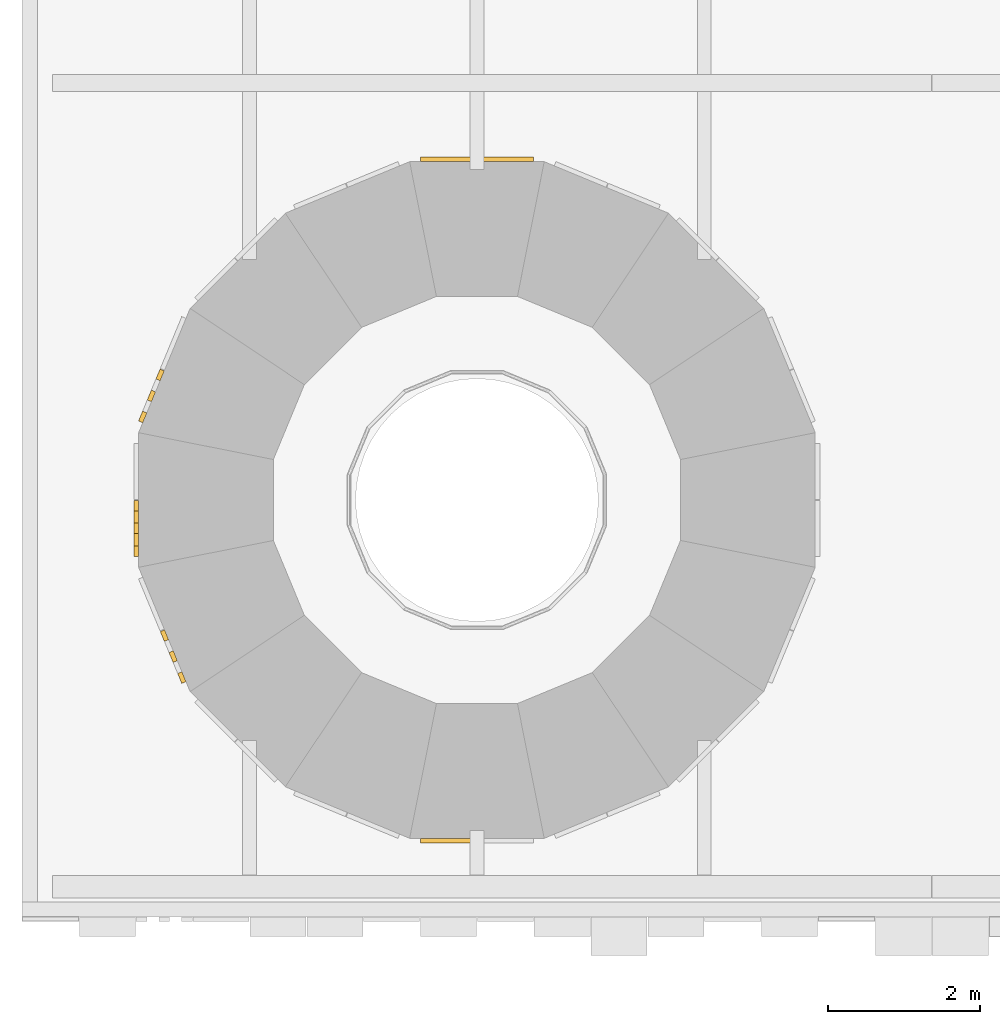
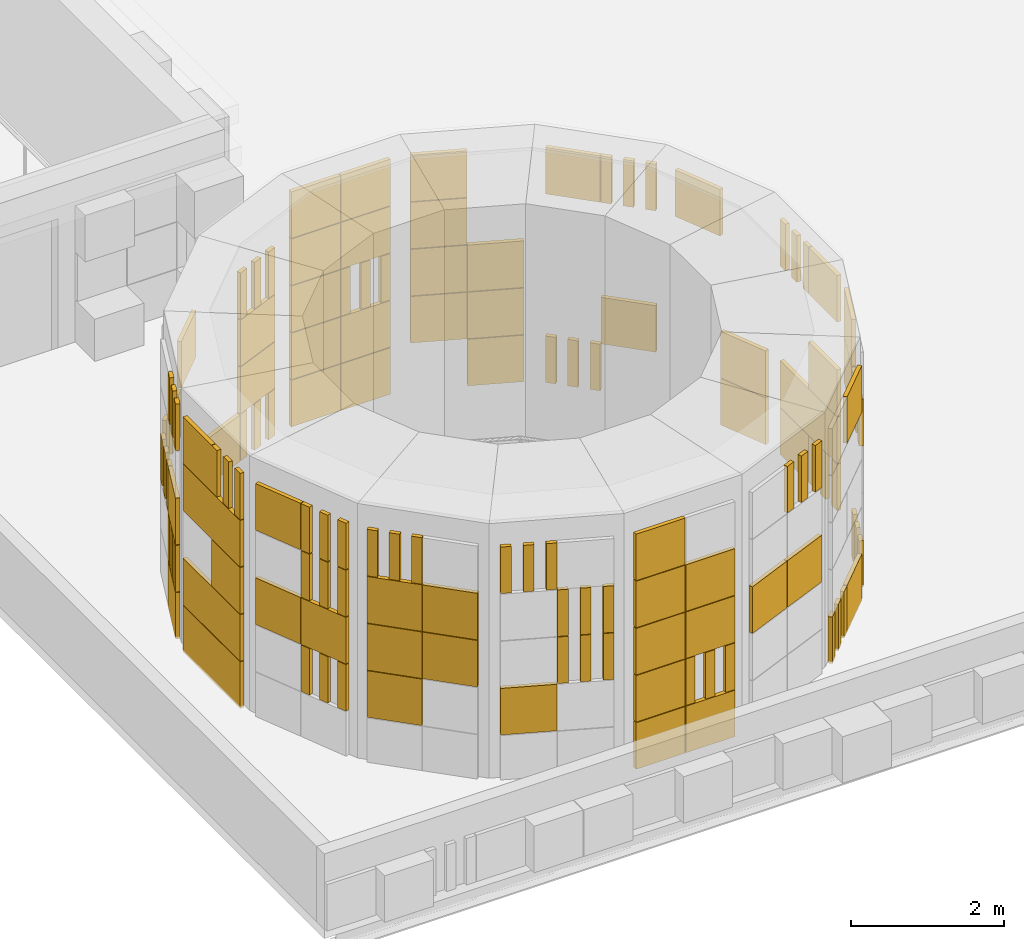
# One storey, part 66 of 98: 2 coverings.
"""IFC4 building model written with IfcOpenShell, lengths in metres."""

from ifc_helpers import new_model, si_unit, direction, frame, origin, origin_2d, place, context, subcontext, project, spatial, rectangle, extrude, material, layer, layer_set, type_object, element, save


model = new_model("IFC4")

# Units and contexts
model_context = context("Model", 3, precision=1e-05, world=origin(), true_north=direction((0.0, 1.0)))
body_context = subcontext(model_context, "Body", "Model", "MODEL_VIEW")
ifc_project = project(units=[si_unit("LENGTHUNIT", "METRE"), si_unit("AREAUNIT", "SQUARE_METRE"), si_unit("VOLUMEUNIT", "CUBIC_METRE"), si_unit("PLANEANGLEUNIT", "RADIAN"), si_unit("MASSUNIT", "GRAM", prefix="KILO")], contexts=[model_context])

# Site, building, storey
site_placement = place(None, origin())
site = spatial("IfcSite", under=ifc_project, at=site_placement, CompositionType="ELEMENT")
building_placement = place(site_placement, origin())
building = spatial("IfcBuilding", under=site, at=building_placement, Name="Sun Court Science Centre", CompositionType="ELEMENT")
storey_placement = place(building_placement, frame((0.0, 0.0, 15.75)))
storey = spatial("IfcBuildingStorey", under=building, at=storey_placement, Name="L03", CompositionType="ELEMENT", Elevation=15.75)

# Coverings
ifc_material_1 = material(Name="Terracotta jali", Category="masonry")
ifc_layer_1 = layer(ifc_material_1, 0.06005859375)
ifc_layer_set_1 = layer_set([ifc_layer_1], Name="Terracotta jali")
covering_type_1 = type_object("IfcCoveringType", Name="Terracotta open jali panel", PredefinedType="CLADDING", material=ifc_layer_set_1)
covering_1_placement = place(storey_placement, frame((0.0, 0.0, -15.75)))
element("IfcCovering", 1, at=covering_1_placement, inside=storey, type_object=covering_type_1, Name="Open jali pixel cladding cone 1 L03", PredefinedType="CLADDING", context=body_context, shape_type="SweptSolid", body=[
    extrude(rectangle(XDim=0.139892578125, YDim=0.06005859375, at=origin_2d()), frame((8.699462890625, 15.154052734375, 15.865234375), z_axis=(0.0, 0.0, 1.0), x_axis=(0.707106781187, -0.707106781187, 0.0)), (0.0, 0.0, 1.0), 0.739990234375),
    extrude(rectangle(XDim=0.139892578125, YDim=0.06005859375, at=origin_2d()), frame((8.91162109375, 14.94189453125, 15.865234375), z_axis=(0.0, 0.0, 1.0), x_axis=(0.707106781187, -0.707106781187, 0.0)), (0.0, 0.0, 1.0), 0.739990234375),
    extrude(rectangle(XDim=0.139892578125, YDim=0.06005859375, at=origin_2d()), frame((9.123779296875, 14.729736328125, 15.865234375), z_axis=(0.0, 0.0, 1.0), x_axis=(0.707106781187, -0.707106781187, 0.0)), (0.0, 0.0, 1.0), 0.739990234375),
    extrude(rectangle(XDim=0.139892578125, YDim=0.06005859375, at=origin_2d()), frame((9.229736328125, 14.623779296875, 18.865234375), z_axis=(0.0, 0.0, 1.0), x_axis=(0.707106781187, -0.707106781187, 0.0)), (0.0, 0.0, 1.0), 0.739990234375),
    extrude(rectangle(XDim=0.139892578125, YDim=0.06005859375, at=origin_2d()), frame((9.44189453125, 14.41162109375, 18.865234375), z_axis=(0.0, 0.0, 1.0), x_axis=(0.707106781187, -0.707106781187, 0.0)), (0.0, 0.0, 1.0), 0.739990234375),
    extrude(rectangle(XDim=0.139892578125, YDim=0.06005859375, at=origin_2d()), frame((9.654052734375, 14.199462890625, 18.865234375), z_axis=(0.0, 0.0, 1.0), x_axis=(0.707106781187, -0.707106781187, 0.0)), (0.0, 0.0, 1.0), 0.739990234375),
    extrude(rectangle(XDim=0.139892578125, YDim=0.06005859375, at=origin_2d()), frame((6.074951171875, 15.99267578125, 17.365234375), z_axis=(0.0, 0.0, 1.0), x_axis=(1.0, 0.0, 0.0)), (0.0, 0.0, 1.0), 0.739990234375),
    extrude(rectangle(XDim=0.139892578125, YDim=0.06005859375, at=origin_2d()), frame((6.375, 15.99267578125, 17.365234375), z_axis=(0.0, 0.0, 1.0), x_axis=(1.0, 0.0, 0.0)), (0.0, 0.0, 1.0), 0.739990234375),
    extrude(rectangle(XDim=0.139892578125, YDim=0.06005859375, at=origin_2d()), frame((6.675048828125, 15.99267578125, 17.365234375), z_axis=(0.0, 0.0, 1.0), x_axis=(1.0, 0.0, 0.0)), (0.0, 0.0, 1.0), 0.739990234375),
    extrude(rectangle(XDim=0.139892578125, YDim=0.06005859375, at=origin_2d()), frame((4.35009765625, 15.67919921875, 15.865234375), z_axis=(0.0, 0.0, 1.0), x_axis=(0.923879532511, 0.382683432365, 0.0)), (0.0, 0.0, 1.0), 0.739990234375),
    extrude(rectangle(XDim=0.139892578125, YDim=0.06005859375, at=origin_2d()), frame((4.627197265625, 15.794189453125, 15.865234375), z_axis=(0.0, 0.0, 1.0), x_axis=(0.923879532511, 0.382683432365, 0.0)), (0.0, 0.0, 1.0), 0.739990234375),
    extrude(rectangle(XDim=0.139892578125, YDim=0.06005859375, at=origin_2d()), frame((4.904296875, 15.908935546875, 15.865234375), z_axis=(0.0, 0.0, 1.0), x_axis=(0.923879532511, 0.382683432365, 0.0)), (0.0, 0.0, 1.0), 0.739990234375),
    extrude(rectangle(XDim=0.139892578125, YDim=0.06005859375, at=origin_2d()), frame((4.35009765625, 15.67919921875, 18.115234375), z_axis=(0.0, 0.0, 1.0), x_axis=(0.923879532511, 0.382683432365, 0.0)), (0.0, 0.0, 1.0), 0.739990234375),
    extrude(rectangle(XDim=0.139892578125, YDim=0.06005859375, at=origin_2d()), frame((4.627197265625, 15.794189453125, 18.115234375), z_axis=(0.0, 0.0, 1.0), x_axis=(0.923879532511, 0.382683432365, 0.0)), (0.0, 0.0, 1.0), 0.739990234375),
    extrude(rectangle(XDim=0.139892578125, YDim=0.06005859375, at=origin_2d()), frame((4.904296875, 15.908935546875, 18.115234375), z_axis=(0.0, 0.0, 1.0), x_axis=(0.923879532511, 0.382683432365, 0.0)), (0.0, 0.0, 1.0), 0.739990234375),
    extrude(rectangle(XDim=0.139892578125, YDim=0.06005859375, at=origin_2d()), frame((2.345947265625, 14.199462890625, 17.365234375), z_axis=(0.0, 0.0, 1.0), x_axis=(0.707106781187, 0.707106781187, 0.0)), (0.0, 0.0, 1.0), 0.739990234375),
    extrude(rectangle(XDim=0.139892578125, YDim=0.06005859375, at=origin_2d()), frame((2.55810546875, 14.41162109375, 17.365234375), z_axis=(0.0, 0.0, 1.0), x_axis=(0.707106781187, 0.707106781187, 0.0)), (0.0, 0.0, 1.0), 0.739990234375),
    extrude(rectangle(XDim=0.139892578125, YDim=0.06005859375, at=origin_2d()), frame((2.770263671875, 14.623779296875, 17.365234375), z_axis=(0.0, 0.0, 1.0), x_axis=(0.707106781187, 0.707106781187, 0.0)), (0.0, 0.0, 1.0), 0.739990234375),
    extrude(rectangle(XDim=0.139892578125, YDim=0.06005859375, at=origin_2d()), frame((1.591064453125, 12.595703125, 16.615234375), z_axis=(0.0, 0.0, 1.0), x_axis=(0.382683432365, 0.923879532511, 0.0)), (0.0, 0.0, 1.0), 0.739990234375),
    extrude(rectangle(XDim=0.139892578125, YDim=0.06005859375, at=origin_2d()), frame((1.705810546875, 12.872802734375, 16.615234375), z_axis=(0.0, 0.0, 1.0), x_axis=(0.382683432365, 0.923879532511, 0.0)), (0.0, 0.0, 1.0), 0.739990234375),
    extrude(rectangle(XDim=0.139892578125, YDim=0.06005859375, at=origin_2d()), frame((1.82080078125, 13.14990234375, 16.615234375), z_axis=(0.0, 0.0, 1.0), x_axis=(0.382683432365, 0.923879532511, 0.0)), (0.0, 0.0, 1.0), 0.739990234375),
    extrude(rectangle(XDim=0.139892578125, YDim=0.06005859375, at=origin_2d()), frame((1.878173828125, 13.28857421875, 17.365234375), z_axis=(0.0, 0.0, 1.0), x_axis=(0.382683432365, 0.923879532511, 0.0)), (0.0, 0.0, 1.0), 0.739990234375),
    extrude(rectangle(XDim=0.139892578125, YDim=0.06005859375, at=origin_2d()), frame((1.992919921875, 13.565673828125, 17.365234375), z_axis=(0.0, 0.0, 1.0), x_axis=(0.382683432365, 0.923879532511, 0.0)), (0.0, 0.0, 1.0), 0.739990234375),
    extrude(rectangle(XDim=0.139892578125, YDim=0.06005859375, at=origin_2d()), frame((2.107666015625, 13.8427734375, 17.365234375), z_axis=(0.0, 0.0, 1.0), x_axis=(0.382683432365, 0.923879532511, 0.0)), (0.0, 0.0, 1.0), 0.739990234375),
    extrude(rectangle(XDim=0.139892578125, YDim=0.06005859375, at=origin_2d()), frame((1.591064453125, 12.595703125, 18.865234375), z_axis=(0.0, 0.0, 1.0), x_axis=(0.382683432365, 0.923879532511, 0.0)), (0.0, 0.0, 1.0), 0.739990234375),
    extrude(rectangle(XDim=0.139892578125, YDim=0.06005859375, at=origin_2d()), frame((1.705810546875, 12.872802734375, 18.865234375), z_axis=(0.0, 0.0, 1.0), x_axis=(0.382683432365, 0.923879532511, 0.0)), (0.0, 0.0, 1.0), 0.739990234375),
    extrude(rectangle(XDim=0.139892578125, YDim=0.06005859375, at=origin_2d()), frame((1.82080078125, 13.14990234375, 18.865234375), z_axis=(0.0, 0.0, 1.0), x_axis=(0.382683432365, 0.923879532511, 0.0)), (0.0, 0.0, 1.0), 0.739990234375),
    extrude(rectangle(XDim=0.139892578125, YDim=0.06005859375, at=origin_2d()), frame((1.50732421875, 10.824951171875, 18.865234375), z_axis=(0.0, 0.0, 1.0), x_axis=(0.0, 1.0, 0.0)), (0.0, 0.0, 1.0), 0.739990234375),
    extrude(rectangle(XDim=0.139892578125, YDim=0.06005859375, at=origin_2d()), frame((1.50732421875, 11.125, 18.865234375), z_axis=(0.0, 0.0, 1.0), x_axis=(0.0, 1.0, 0.0)), (0.0, 0.0, 1.0), 0.739990234375),
    extrude(rectangle(XDim=0.139892578125, YDim=0.06005859375, at=origin_2d()), frame((1.50732421875, 11.425048828125, 18.865234375), z_axis=(0.0, 0.0, 1.0), x_axis=(0.0, 1.0, 0.0)), (0.0, 0.0, 1.0), 0.739990234375),
    extrude(rectangle(XDim=0.139892578125, YDim=0.06005859375, at=origin_2d()), frame((2.107666015625, 9.1572265625, 16.615234375), z_axis=(0.0, 0.0, 1.0), x_axis=(-0.382683432365, 0.923879532511, 0.0)), (0.0, 0.0, 1.0), 0.739990234375),
    extrude(rectangle(XDim=0.139892578125, YDim=0.06005859375, at=origin_2d()), frame((1.992919921875, 9.434326171875, 16.615234375), z_axis=(0.0, 0.0, 1.0), x_axis=(-0.382683432365, 0.923879532511, 0.0)), (0.0, 0.0, 1.0), 0.739990234375),
    extrude(rectangle(XDim=0.139892578125, YDim=0.06005859375, at=origin_2d()), frame((1.878173828125, 9.71142578125, 16.615234375), z_axis=(0.0, 0.0, 1.0), x_axis=(-0.382683432365, 0.923879532511, 0.0)), (0.0, 0.0, 1.0), 0.739990234375),
    extrude(rectangle(XDim=0.139892578125, YDim=0.06005859375, at=origin_2d()), frame((2.107666015625, 9.1572265625, 18.115234375), z_axis=(0.0, 0.0, 1.0), x_axis=(-0.382683432365, 0.923879532511, 0.0)), (0.0, 0.0, 1.0), 0.739990234375),
    extrude(rectangle(XDim=0.139892578125, YDim=0.06005859375, at=origin_2d()), frame((1.992919921875, 9.434326171875, 18.115234375), z_axis=(0.0, 0.0, 1.0), x_axis=(-0.382683432365, 0.923879532511, 0.0)), (0.0, 0.0, 1.0), 0.739990234375),
    extrude(rectangle(XDim=0.139892578125, YDim=0.06005859375, at=origin_2d()), frame((1.878173828125, 9.71142578125, 18.115234375), z_axis=(0.0, 0.0, 1.0), x_axis=(-0.382683432365, 0.923879532511, 0.0)), (0.0, 0.0, 1.0), 0.739990234375),
    extrude(rectangle(XDim=0.139892578125, YDim=0.06005859375, at=origin_2d()), frame((2.107666015625, 9.1572265625, 18.865234375), z_axis=(0.0, 0.0, 1.0), x_axis=(-0.382683432365, 0.923879532511, 0.0)), (0.0, 0.0, 1.0), 0.739990234375),
    extrude(rectangle(XDim=0.139892578125, YDim=0.06005859375, at=origin_2d()), frame((1.992919921875, 9.434326171875, 18.865234375), z_axis=(0.0, 0.0, 1.0), x_axis=(-0.382683432365, 0.923879532511, 0.0)), (0.0, 0.0, 1.0), 0.739990234375),
    extrude(rectangle(XDim=0.139892578125, YDim=0.06005859375, at=origin_2d()), frame((1.878173828125, 9.71142578125, 18.865234375), z_axis=(0.0, 0.0, 1.0), x_axis=(-0.382683432365, 0.923879532511, 0.0)), (0.0, 0.0, 1.0), 0.739990234375),
    extrude(rectangle(XDim=0.139892578125, YDim=0.06005859375, at=origin_2d()), frame((2.770263671875, 8.376220703125, 18.865234375), z_axis=(0.0, 0.0, 1.0), x_axis=(-0.707106781187, 0.707106781187, 0.0)), (0.0, 0.0, 1.0), 0.739990234375),
    extrude(rectangle(XDim=0.139892578125, YDim=0.06005859375, at=origin_2d()), frame((2.55810546875, 8.58837890625, 18.865234375), z_axis=(0.0, 0.0, 1.0), x_axis=(-0.707106781187, 0.707106781187, 0.0)), (0.0, 0.0, 1.0), 0.739990234375),
    extrude(rectangle(XDim=0.139892578125, YDim=0.06005859375, at=origin_2d()), frame((2.345947265625, 8.800537109375, 18.865234375), z_axis=(0.0, 0.0, 1.0), x_axis=(-0.707106781187, 0.707106781187, 0.0)), (0.0, 0.0, 1.0), 0.739990234375),
    extrude(rectangle(XDim=0.139892578125, YDim=0.06005859375, at=origin_2d()), frame((4.904296875, 7.091064453125, 17.365234375), z_axis=(0.0, 0.0, 1.0), x_axis=(-0.923879532511, 0.382683432365, 0.0)), (0.0, 0.0, 1.0), 0.739990234375),
    extrude(rectangle(XDim=0.139892578125, YDim=0.06005859375, at=origin_2d()), frame((4.627197265625, 7.205810546875, 17.365234375), z_axis=(0.0, 0.0, 1.0), x_axis=(-0.923879532511, 0.382683432365, 0.0)), (0.0, 0.0, 1.0), 0.739990234375),
    extrude(rectangle(XDim=0.139892578125, YDim=0.06005859375, at=origin_2d()), frame((4.35009765625, 7.32080078125, 17.365234375), z_axis=(0.0, 0.0, 1.0), x_axis=(-0.923879532511, 0.382683432365, 0.0)), (0.0, 0.0, 1.0), 0.739990234375),
    extrude(rectangle(XDim=0.139892578125, YDim=0.06005859375, at=origin_2d()), frame((4.904296875, 7.091064453125, 18.115234375), z_axis=(0.0, 0.0, 1.0), x_axis=(-0.923879532511, 0.382683432365, 0.0)), (0.0, 0.0, 1.0), 0.739990234375),
    extrude(rectangle(XDim=0.139892578125, YDim=0.06005859375, at=origin_2d()), frame((4.627197265625, 7.205810546875, 18.115234375), z_axis=(0.0, 0.0, 1.0), x_axis=(-0.923879532511, 0.382683432365, 0.0)), (0.0, 0.0, 1.0), 0.739990234375),
    extrude(rectangle(XDim=0.139892578125, YDim=0.06005859375, at=origin_2d()), frame((4.35009765625, 7.32080078125, 18.115234375), z_axis=(0.0, 0.0, 1.0), x_axis=(-0.923879532511, 0.382683432365, 0.0)), (0.0, 0.0, 1.0), 0.739990234375),
    extrude(rectangle(XDim=0.139892578125, YDim=0.06005859375, at=origin_2d()), frame((4.21142578125, 7.378173828125, 18.865234375), z_axis=(0.0, 0.0, 1.0), x_axis=(-0.923879532511, 0.382683432365, 0.0)), (0.0, 0.0, 1.0), 0.739990234375),
    extrude(rectangle(XDim=0.139892578125, YDim=0.06005859375, at=origin_2d()), frame((3.934326171875, 7.492919921875, 18.865234375), z_axis=(0.0, 0.0, 1.0), x_axis=(-0.923879532511, 0.382683432365, 0.0)), (0.0, 0.0, 1.0), 0.739990234375),
    extrude(rectangle(XDim=0.139892578125, YDim=0.06005859375, at=origin_2d()), frame((3.6572265625, 7.607666015625, 18.865234375), z_axis=(0.0, 0.0, 1.0), x_axis=(-0.923879532511, 0.382683432365, 0.0)), (0.0, 0.0, 1.0), 0.739990234375),
    extrude(rectangle(XDim=0.139892578125, YDim=0.06005859375, at=origin_2d()), frame((6.675048828125, 7.00732421875, 16.615234375), z_axis=(0.0, 0.0, 1.0), x_axis=(-1.0, 0.0, 0.0)), (0.0, 0.0, 1.0), 0.739990234375),
    extrude(rectangle(XDim=0.139892578125, YDim=0.06005859375, at=origin_2d()), frame((6.375, 7.00732421875, 16.615234375), z_axis=(0.0, 0.0, 1.0), x_axis=(-1.0, 0.0, 0.0)), (0.0, 0.0, 1.0), 0.739990234375),
    extrude(rectangle(XDim=0.139892578125, YDim=0.06005859375, at=origin_2d()), frame((6.074951171875, 7.00732421875, 16.615234375), z_axis=(0.0, 0.0, 1.0), x_axis=(-1.0, 0.0, 0.0)), (0.0, 0.0, 1.0), 0.739990234375),
    extrude(rectangle(XDim=0.139892578125, YDim=0.06005859375, at=origin_2d()), frame((8.3427734375, 7.607666015625, 18.865234375), z_axis=(0.0, 0.0, 1.0), x_axis=(-0.923879532511, -0.382683432365, 0.0)), (0.0, 0.0, 1.0), 0.739990234375),
    extrude(rectangle(XDim=0.139892578125, YDim=0.06005859375, at=origin_2d()), frame((8.065673828125, 7.492919921875, 18.865234375), z_axis=(0.0, 0.0, 1.0), x_axis=(-0.923879532511, -0.382683432365, 0.0)), (0.0, 0.0, 1.0), 0.739990234375),
    extrude(rectangle(XDim=0.139892578125, YDim=0.06005859375, at=origin_2d()), frame((7.78857421875, 7.378173828125, 18.865234375), z_axis=(0.0, 0.0, 1.0), x_axis=(-0.923879532511, -0.382683432365, 0.0)), (0.0, 0.0, 1.0), 0.739990234375),
    extrude(rectangle(XDim=0.139892578125, YDim=0.06005859375, at=origin_2d()), frame((9.123779296875, 8.270263671875, 15.865234375), z_axis=(0.0, 0.0, 1.0), x_axis=(-0.707106781187, -0.707106781187, 0.0)), (0.0, 0.0, 1.0), 0.739990234375),
    extrude(rectangle(XDim=0.139892578125, YDim=0.06005859375, at=origin_2d()), frame((8.91162109375, 8.05810546875, 15.865234375), z_axis=(0.0, 0.0, 1.0), x_axis=(-0.707106781187, -0.707106781187, 0.0)), (0.0, 0.0, 1.0), 0.739990234375),
    extrude(rectangle(XDim=0.139892578125, YDim=0.06005859375, at=origin_2d()), frame((8.699462890625, 7.845947265625, 15.865234375), z_axis=(0.0, 0.0, 1.0), x_axis=(-0.707106781187, -0.707106781187, 0.0)), (0.0, 0.0, 1.0), 0.739990234375),
    extrude(rectangle(XDim=0.139892578125, YDim=0.06005859375, at=origin_2d()), frame((10.121826171875, 9.71142578125, 15.865234375), z_axis=(0.0, 0.0, 1.0), x_axis=(-0.382683432365, -0.923879532511, 0.0)), (0.0, 0.0, 1.0), 0.739990234375),
    extrude(rectangle(XDim=0.139892578125, YDim=0.06005859375, at=origin_2d()), frame((10.007080078125, 9.434326171875, 15.865234375), z_axis=(0.0, 0.0, 1.0), x_axis=(-0.382683432365, -0.923879532511, 0.0)), (0.0, 0.0, 1.0), 0.739990234375),
    extrude(rectangle(XDim=0.139892578125, YDim=0.06005859375, at=origin_2d()), frame((9.892333984375, 9.1572265625, 15.865234375), z_axis=(0.0, 0.0, 1.0), x_axis=(-0.382683432365, -0.923879532511, 0.0)), (0.0, 0.0, 1.0), 0.739990234375),
    extrude(rectangle(XDim=0.139892578125, YDim=0.06005859375, at=origin_2d()), frame((10.121826171875, 9.71142578125, 18.115234375), z_axis=(0.0, 0.0, 1.0), x_axis=(-0.382683432365, -0.923879532511, 0.0)), (0.0, 0.0, 1.0), 0.739990234375),
    extrude(rectangle(XDim=0.139892578125, YDim=0.06005859375, at=origin_2d()), frame((10.007080078125, 9.434326171875, 18.115234375), z_axis=(0.0, 0.0, 1.0), x_axis=(-0.382683432365, -0.923879532511, 0.0)), (0.0, 0.0, 1.0), 0.739990234375),
    extrude(rectangle(XDim=0.139892578125, YDim=0.06005859375, at=origin_2d()), frame((9.892333984375, 9.1572265625, 18.115234375), z_axis=(0.0, 0.0, 1.0), x_axis=(-0.382683432365, -0.923879532511, 0.0)), (0.0, 0.0, 1.0), 0.739990234375),
    extrude(rectangle(XDim=0.139892578125, YDim=0.06005859375, at=origin_2d()), frame((10.49267578125, 11.425048828125, 15.865234375), z_axis=(0.0, 0.0, 1.0), x_axis=(0.0, -1.0, 0.0)), (0.0, 0.0, 1.0), 0.739990234375),
    extrude(rectangle(XDim=0.139892578125, YDim=0.06005859375, at=origin_2d()), frame((10.49267578125, 11.125, 15.865234375), z_axis=(0.0, 0.0, 1.0), x_axis=(0.0, -1.0, 0.0)), (0.0, 0.0, 1.0), 0.739990234375),
    extrude(rectangle(XDim=0.139892578125, YDim=0.06005859375, at=origin_2d()), frame((10.49267578125, 10.824951171875, 15.865234375), z_axis=(0.0, 0.0, 1.0), x_axis=(0.0, -1.0, 0.0)), (0.0, 0.0, 1.0), 0.739990234375),
    extrude(rectangle(XDim=0.139892578125, YDim=0.06005859375, at=origin_2d()), frame((10.49267578125, 12.175048828125, 18.865234375), z_axis=(0.0, 0.0, 1.0), x_axis=(0.0, -1.0, 0.0)), (0.0, 0.0, 1.0), 0.739990234375),
    extrude(rectangle(XDim=0.139892578125, YDim=0.06005859375, at=origin_2d()), frame((10.49267578125, 11.875, 18.865234375), z_axis=(0.0, 0.0, 1.0), x_axis=(0.0, -1.0, 0.0)), (0.0, 0.0, 1.0), 0.739990234375),
    extrude(rectangle(XDim=0.139892578125, YDim=0.06005859375, at=origin_2d()), frame((10.49267578125, 11.574951171875, 18.865234375), z_axis=(0.0, 0.0, 1.0), x_axis=(0.0, -1.0, 0.0)), (0.0, 0.0, 1.0), 0.739990234375),
    extrude(rectangle(XDim=0.739990234375, YDim=0.06005859375, at=origin_2d()), frame((1.50732421875, 11.125, 15.865234375), z_axis=(0.0, 0.0, 1.0), x_axis=(0.0, 1.0, 0.0)), (0.0, 0.0, 1.0), 0.739990234375),
    extrude(rectangle(XDim=0.739990234375, YDim=0.06005859375, at=origin_2d()), frame((1.50732421875, 11.125, 16.615234375), z_axis=(0.0, 0.0, 1.0), x_axis=(0.0, 1.0, 0.0)), (0.0, 0.0, 1.0), 0.739990234375),
    extrude(rectangle(XDim=0.739990234375, YDim=0.06005859375, at=origin_2d()), frame((1.50732421875, 11.125, 17.365234375), z_axis=(0.0, 0.0, 1.0), x_axis=(0.0, 1.0, 0.0)), (0.0, 0.0, 1.0), 0.739990234375),
    extrude(rectangle(XDim=0.739990234375, YDim=0.06005859375, at=origin_2d()), frame((1.50732421875, 11.875, 18.865234375), z_axis=(0.0, 0.0, 1.0), x_axis=(0.0, 1.0, 0.0)), (0.0, 0.0, 1.0), 0.739990234375),
    extrude(rectangle(XDim=0.739990234375, YDim=0.06005859375, at=origin_2d()), frame((5.625, 15.99267578125, 15.865234375), z_axis=(0.0, 0.0, 1.0), x_axis=(1.0, 0.0, 0.0)), (0.0, 0.0, 1.0), 0.739990234375),
    extrude(rectangle(XDim=0.739990234375, YDim=0.06005859375, at=origin_2d()), frame((6.375, 15.99267578125, 15.865234375), z_axis=(0.0, 0.0, 1.0), x_axis=(1.0, 0.0, 0.0)), (0.0, 0.0, 1.0), 0.739990234375),
    extrude(rectangle(XDim=0.739990234375, YDim=0.06005859375, at=origin_2d()), frame((6.375, 15.99267578125, 18.115234375), z_axis=(0.0, 0.0, 1.0), x_axis=(1.0, 0.0, 0.0)), (0.0, 0.0, 1.0), 0.739990234375),
    extrude(rectangle(XDim=0.739990234375, YDim=0.06005859375, at=origin_2d()), frame((1.50732421875, 11.875, 16.615234375), z_axis=(0.0, 0.0, 1.0), x_axis=(0.0, 1.0, 0.0)), (0.0, 0.0, 1.0), 0.739990234375),
    extrude(rectangle(XDim=0.739990234375, YDim=0.06005859375, at=origin_2d()), frame((1.50732421875, 11.125, 18.115234375), z_axis=(0.0, 0.0, 1.0), x_axis=(0.0, 1.0, 0.0)), (0.0, 0.0, 1.0), 0.739990234375),
    extrude(rectangle(XDim=0.739990234375, YDim=0.06005859375, at=origin_2d()), frame((1.50732421875, 11.875, 18.115234375), z_axis=(0.0, 0.0, 1.0), x_axis=(0.0, 1.0, 0.0)), (0.0, 0.0, 1.0), 0.739990234375),
    extrude(rectangle(XDim=0.739990234375, YDim=0.06005859375, at=origin_2d()), frame((5.625, 15.99267578125, 16.615234375), z_axis=(0.0, 0.0, 1.0), x_axis=(1.0, 0.0, 0.0)), (0.0, 0.0, 1.0), 0.739990234375),
    extrude(rectangle(XDim=0.739990234375, YDim=0.06005859375, at=origin_2d()), frame((6.375, 15.99267578125, 16.615234375), z_axis=(0.0, 0.0, 1.0), x_axis=(1.0, 0.0, 0.0)), (0.0, 0.0, 1.0), 0.739990234375),
    extrude(rectangle(XDim=0.739990234375, YDim=0.06005859375, at=origin_2d()), frame((5.625, 15.99267578125, 17.365234375), z_axis=(0.0, 0.0, 1.0), x_axis=(1.0, 0.0, 0.0)), (0.0, 0.0, 1.0), 0.739990234375),
    extrude(rectangle(XDim=0.739990234375, YDim=0.06005859375, at=origin_2d()), frame((5.625, 15.99267578125, 18.115234375), z_axis=(0.0, 0.0, 1.0), x_axis=(1.0, 0.0, 0.0)), (0.0, 0.0, 1.0), 0.739990234375),
    extrude(rectangle(XDim=0.739990234375, YDim=0.06005859375, at=origin_2d()), frame((6.375, 15.99267578125, 18.865234375), z_axis=(0.0, 0.0, 1.0), x_axis=(1.0, 0.0, 0.0)), (0.0, 0.0, 1.0), 0.739990234375),
    extrude(rectangle(XDim=0.739990234375, YDim=0.06005859375, at=origin_2d()), frame((1.50732421875, 11.875, 15.865234375), z_axis=(0.0, 0.0, 1.0), x_axis=(0.0, 1.0, 0.0)), (0.0, 0.0, 1.0), 0.739990234375),
    extrude(rectangle(XDim=0.739990234375, YDim=0.06005859375, at=origin_2d()), frame((5.625, 15.99267578125, 18.865234375), z_axis=(0.0, 0.0, 1.0), x_axis=(1.0, 0.0, 0.0)), (0.0, 0.0, 1.0), 0.739990234375),
])
ifc_material_2 = material(Name="Terracotta shade 1", Category="masonry")
ifc_layer_2 = layer(ifc_material_2, 0.06005859375)
ifc_layer_set_2 = layer_set([ifc_layer_2], Name="Terracotta shade 1")
covering_type_2 = type_object("IfcCoveringType", Name="Terracotta pixel panel shade 1", PredefinedType="CLADDING", material=ifc_layer_set_2)
covering_2_placement = place(storey_placement, frame((0.0, 0.0, -15.75)))
element("IfcCovering", 2, at=covering_2_placement, inside=storey, type_object=covering_type_2, Name="Terracotta pixel cladding shade 1 cone 1 L03", PredefinedType="CLADDING", context=body_context, shape_type="SweptSolid", body=[
    extrude(rectangle(XDim=0.739990234375, YDim=0.06005859375, at=origin_2d()), frame((10.294189453125, 12.872802734375, 15.865234375), z_axis=(0.0, 0.0, 1.0), x_axis=(0.382683432365, -0.923879532511, 0.0)), (0.0, 0.0, 1.0), 0.739990234375),
    extrude(rectangle(XDim=0.739990234375, YDim=0.06005859375, at=origin_2d()), frame((10.294189453125, 12.872802734375, 16.615234375), z_axis=(0.0, 0.0, 1.0), x_axis=(0.382683432365, -0.923879532511, 0.0)), (0.0, 0.0, 1.0), 0.739990234375),
    extrude(rectangle(XDim=0.739990234375, YDim=0.06005859375, at=origin_2d()), frame((10.007080078125, 13.565673828125, 18.865234375), z_axis=(0.0, 0.0, 1.0), x_axis=(0.382683432365, -0.923879532511, 0.0)), (0.0, 0.0, 1.0), 0.739990234375),
    extrude(rectangle(XDim=0.739990234375, YDim=0.06005859375, at=origin_2d()), frame((9.44189453125, 14.41162109375, 16.615234375), z_axis=(0.0, 0.0, 1.0), x_axis=(0.707106781187, -0.707106781187, 0.0)), (0.0, 0.0, 1.0), 0.739990234375),
    extrude(rectangle(XDim=0.739990234375, YDim=0.06005859375, at=origin_2d()), frame((8.91162109375, 14.94189453125, 18.865234375), z_axis=(0.0, 0.0, 1.0), x_axis=(0.707106781187, -0.707106781187, 0.0)), (0.0, 0.0, 1.0), 0.739990234375),
    extrude(rectangle(XDim=0.739990234375, YDim=0.06005859375, at=origin_2d()), frame((8.065673828125, 15.507080078125, 15.865234375), z_axis=(0.0, 0.0, 1.0), x_axis=(0.923879532511, -0.382683432365, 0.0)), (0.0, 0.0, 1.0), 0.739990234375),
    extrude(rectangle(XDim=0.739990234375, YDim=0.06005859375, at=origin_2d()), frame((8.065673828125, 15.507080078125, 16.615234375), z_axis=(0.0, 0.0, 1.0), x_axis=(0.923879532511, -0.382683432365, 0.0)), (0.0, 0.0, 1.0), 0.739990234375),
    extrude(rectangle(XDim=0.739990234375, YDim=0.06005859375, at=origin_2d()), frame((8.065673828125, 15.507080078125, 17.365234375), z_axis=(0.0, 0.0, 1.0), x_axis=(0.923879532511, -0.382683432365, 0.0)), (0.0, 0.0, 1.0), 0.739990234375),
    extrude(rectangle(XDim=0.739990234375, YDim=0.06005859375, at=origin_2d()), frame((7.372802734375, 15.794189453125, 18.115234375), z_axis=(0.0, 0.0, 1.0), x_axis=(0.923879532511, -0.382683432365, 0.0)), (0.0, 0.0, 1.0), 0.739990234375),
    extrude(rectangle(XDim=0.739990234375, YDim=0.06005859375, at=origin_2d()), frame((3.934326171875, 15.507080078125, 15.865234375), z_axis=(0.0, 0.0, 1.0), x_axis=(0.923879532511, 0.382683432365, 0.0)), (0.0, 0.0, 1.0), 0.739990234375),
    extrude(rectangle(XDim=0.739990234375, YDim=0.06005859375, at=origin_2d()), frame((3.08837890625, 14.94189453125, 18.115234375), z_axis=(0.0, 0.0, 1.0), x_axis=(0.707106781187, 0.707106781187, 0.0)), (0.0, 0.0, 1.0), 0.739990234375),
    extrude(rectangle(XDim=0.739990234375, YDim=0.06005859375, at=origin_2d()), frame((1.705810546875, 12.872802734375, 15.865234375), z_axis=(0.0, 0.0, 1.0), x_axis=(0.382683432365, 0.923879532511, 0.0)), (0.0, 0.0, 1.0), 0.739990234375),
    extrude(rectangle(XDim=0.739990234375, YDim=0.06005859375, at=origin_2d()), frame((1.705810546875, 12.872802734375, 17.365234375), z_axis=(0.0, 0.0, 1.0), x_axis=(0.382683432365, 0.923879532511, 0.0)), (0.0, 0.0, 1.0), 0.739990234375),
    extrude(rectangle(XDim=0.739990234375, YDim=0.06005859375, at=origin_2d()), frame((1.992919921875, 9.434326171875, 17.365234375), z_axis=(0.0, 0.0, 1.0), x_axis=(-0.382683432365, 0.923879532511, 0.0)), (0.0, 0.0, 1.0), 0.739990234375),
    extrude(rectangle(XDim=0.739990234375, YDim=0.06005859375, at=origin_2d()), frame((1.705810546875, 10.127197265625, 17.365234375), z_axis=(0.0, 0.0, 1.0), x_axis=(-0.382683432365, 0.923879532511, 0.0)), (0.0, 0.0, 1.0), 0.739990234375),
    extrude(rectangle(XDim=0.739990234375, YDim=0.06005859375, at=origin_2d()), frame((1.705810546875, 10.127197265625, 18.865234375), z_axis=(0.0, 0.0, 1.0), x_axis=(-0.382683432365, 0.923879532511, 0.0)), (0.0, 0.0, 1.0), 0.739990234375),
    extrude(rectangle(XDim=0.739990234375, YDim=0.06005859375, at=origin_2d()), frame((2.55810546875, 8.58837890625, 16.615234375), z_axis=(0.0, 0.0, 1.0), x_axis=(-0.707106781187, 0.707106781187, 0.0)), (0.0, 0.0, 1.0), 0.739990234375),
    extrude(rectangle(XDim=0.739990234375, YDim=0.06005859375, at=origin_2d()), frame((3.08837890625, 8.05810546875, 17.365234375), z_axis=(0.0, 0.0, 1.0), x_axis=(-0.707106781187, 0.707106781187, 0.0)), (0.0, 0.0, 1.0), 0.739990234375),
    extrude(rectangle(XDim=0.739990234375, YDim=0.06005859375, at=origin_2d()), frame((2.55810546875, 8.58837890625, 17.365234375), z_axis=(0.0, 0.0, 1.0), x_axis=(-0.707106781187, 0.707106781187, 0.0)), (0.0, 0.0, 1.0), 0.739990234375),
    extrude(rectangle(XDim=0.739990234375, YDim=0.06005859375, at=origin_2d()), frame((3.08837890625, 8.05810546875, 18.115234375), z_axis=(0.0, 0.0, 1.0), x_axis=(-0.707106781187, 0.707106781187, 0.0)), (0.0, 0.0, 1.0), 0.739990234375),
    extrude(rectangle(XDim=0.739990234375, YDim=0.06005859375, at=origin_2d()), frame((2.55810546875, 8.58837890625, 18.115234375), z_axis=(0.0, 0.0, 1.0), x_axis=(-0.707106781187, 0.707106781187, 0.0)), (0.0, 0.0, 1.0), 0.739990234375),
    extrude(rectangle(XDim=0.739990234375, YDim=0.06005859375, at=origin_2d()), frame((3.934326171875, 7.492919921875, 16.615234375), z_axis=(0.0, 0.0, 1.0), x_axis=(-0.923879532511, 0.382683432365, 0.0)), (0.0, 0.0, 1.0), 0.739990234375),
    extrude(rectangle(XDim=0.739990234375, YDim=0.06005859375, at=origin_2d()), frame((6.375, 7.00732421875, 17.365234375), z_axis=(0.0, 0.0, 1.0), x_axis=(-1.0, 0.0, 0.0)), (0.0, 0.0, 1.0), 0.739990234375),
    extrude(rectangle(XDim=0.739990234375, YDim=0.06005859375, at=origin_2d()), frame((5.625, 7.00732421875, 17.365234375), z_axis=(0.0, 0.0, 1.0), x_axis=(-1.0, 0.0, 0.0)), (0.0, 0.0, 1.0), 0.739990234375),
    extrude(rectangle(XDim=0.739990234375, YDim=0.06005859375, at=origin_2d()), frame((8.065673828125, 7.492919921875, 17.365234375), z_axis=(0.0, 0.0, 1.0), x_axis=(-0.923879532511, -0.382683432365, 0.0)), (0.0, 0.0, 1.0), 0.739990234375),
    extrude(rectangle(XDim=0.739990234375, YDim=0.06005859375, at=origin_2d()), frame((7.372802734375, 7.205810546875, 17.365234375), z_axis=(0.0, 0.0, 1.0), x_axis=(-0.923879532511, -0.382683432365, 0.0)), (0.0, 0.0, 1.0), 0.739990234375),
    extrude(rectangle(XDim=0.739990234375, YDim=0.06005859375, at=origin_2d()), frame((9.44189453125, 8.58837890625, 15.865234375), z_axis=(0.0, 0.0, 1.0), x_axis=(-0.707106781187, -0.707106781187, 0.0)), (0.0, 0.0, 1.0), 0.739990234375),
    extrude(rectangle(XDim=0.739990234375, YDim=0.06005859375, at=origin_2d()), frame((9.44189453125, 8.58837890625, 18.865234375), z_axis=(0.0, 0.0, 1.0), x_axis=(-0.707106781187, -0.707106781187, 0.0)), (0.0, 0.0, 1.0), 0.739990234375),
    extrude(rectangle(XDim=0.739990234375, YDim=0.06005859375, at=origin_2d()), frame((10.294189453125, 10.127197265625, 18.115234375), z_axis=(0.0, 0.0, 1.0), x_axis=(-0.382683432365, -0.923879532511, 0.0)), (0.0, 0.0, 1.0), 0.739990234375),
    extrude(rectangle(XDim=0.739990234375, YDim=0.06005859375, at=origin_2d()), frame((10.294189453125, 10.127197265625, 18.865234375), z_axis=(0.0, 0.0, 1.0), x_axis=(-0.382683432365, -0.923879532511, 0.0)), (0.0, 0.0, 1.0), 0.739990234375),
    extrude(rectangle(XDim=0.739990234375, YDim=0.06005859375, at=origin_2d()), frame((10.49267578125, 11.875, 15.865234375), z_axis=(0.0, 0.0, 1.0), x_axis=(0.0, -1.0, 0.0)), (0.0, 0.0, 1.0), 0.739990234375),
    extrude(rectangle(XDim=0.739990234375, YDim=0.06005859375, at=origin_2d()), frame((10.49267578125, 11.125, 16.615234375), z_axis=(0.0, 0.0, 1.0), x_axis=(0.0, -1.0, 0.0)), (0.0, 0.0, 1.0), 0.739990234375),
    extrude(rectangle(XDim=0.739990234375, YDim=0.06005859375, at=origin_2d()), frame((10.49267578125, 11.125, 17.365234375), z_axis=(0.0, 0.0, 1.0), x_axis=(0.0, -1.0, 0.0)), (0.0, 0.0, 1.0), 0.739990234375),
    extrude(rectangle(XDim=0.739990234375, YDim=0.06005859375, at=origin_2d()), frame((10.49267578125, 11.125, 18.865234375), z_axis=(0.0, 0.0, 1.0), x_axis=(0.0, -1.0, 0.0)), (0.0, 0.0, 1.0), 0.739990234375),
    extrude(rectangle(XDim=0.739990234375, YDim=0.06005859375, at=origin_2d()), frame((6.375, 7.00732421875, 15.865234375), z_axis=(0.0, 0.0, 1.0), x_axis=(-1.0, 0.0, 0.0)), (0.0, 0.0, 1.0), 0.739990234375),
    extrude(rectangle(XDim=0.739990234375, YDim=0.06005859375, at=origin_2d()), frame((5.625, 7.00732421875, 18.115234375), z_axis=(0.0, 0.0, 1.0), x_axis=(-1.0, 0.0, 0.0)), (0.0, 0.0, 1.0), 0.739990234375),
    extrude(rectangle(XDim=0.739990234375, YDim=0.06005859375, at=origin_2d()), frame((10.49267578125, 11.875, 16.615234375), z_axis=(0.0, 0.0, 1.0), x_axis=(0.0, -1.0, 0.0)), (0.0, 0.0, 1.0), 0.739990234375),
    extrude(rectangle(XDim=0.739990234375, YDim=0.06005859375, at=origin_2d()), frame((5.625, 7.00732421875, 15.865234375), z_axis=(0.0, 0.0, 1.0), x_axis=(-1.0, 0.0, 0.0)), (0.0, 0.0, 1.0), 0.739990234375),
    extrude(rectangle(XDim=0.739990234375, YDim=0.06005859375, at=origin_2d()), frame((5.625, 7.00732421875, 16.615234375), z_axis=(0.0, 0.0, 1.0), x_axis=(-1.0, 0.0, 0.0)), (0.0, 0.0, 1.0), 0.739990234375),
    extrude(rectangle(XDim=0.739990234375, YDim=0.06005859375, at=origin_2d()), frame((6.375, 7.00732421875, 18.115234375), z_axis=(0.0, 0.0, 1.0), x_axis=(-1.0, 0.0, 0.0)), (0.0, 0.0, 1.0), 0.739990234375),
    extrude(rectangle(XDim=0.739990234375, YDim=0.06005859375, at=origin_2d()), frame((5.625, 7.00732421875, 18.865234375), z_axis=(0.0, 0.0, 1.0), x_axis=(-1.0, 0.0, 0.0)), (0.0, 0.0, 1.0), 0.739990234375),
    extrude(rectangle(XDim=0.739990234375, YDim=0.06005859375, at=origin_2d()), frame((4.627197265625, 15.794189453125, 16.615234375), z_axis=(0.0, 0.0, 1.0), x_axis=(0.923879532511, 0.382683432365, 0.0)), (0.0, 0.0, 1.0), 0.739990234375),
    extrude(rectangle(XDim=0.739990234375, YDim=0.06005859375, at=origin_2d()), frame((7.372802734375, 15.794189453125, 16.615234375), z_axis=(0.0, 0.0, 1.0), x_axis=(0.923879532511, -0.382683432365, 0.0)), (0.0, 0.0, 1.0), 0.739990234375),
    extrude(rectangle(XDim=0.739990234375, YDim=0.06005859375, at=origin_2d()), frame((7.372802734375, 15.794189453125, 17.365234375), z_axis=(0.0, 0.0, 1.0), x_axis=(0.923879532511, -0.382683432365, 0.0)), (0.0, 0.0, 1.0), 0.739990234375),
    extrude(rectangle(XDim=0.739990234375, YDim=0.06005859375, at=origin_2d()), frame((7.372802734375, 15.794189453125, 18.865234375), z_axis=(0.0, 0.0, 1.0), x_axis=(0.923879532511, -0.382683432365, 0.0)), (0.0, 0.0, 1.0), 0.739990234375),
    extrude(rectangle(XDim=0.739990234375, YDim=0.06005859375, at=origin_2d()), frame((4.627197265625, 15.794189453125, 17.365234375), z_axis=(0.0, 0.0, 1.0), x_axis=(0.923879532511, 0.382683432365, 0.0)), (0.0, 0.0, 1.0), 0.739990234375),
])

save(model, "model.ifc")
